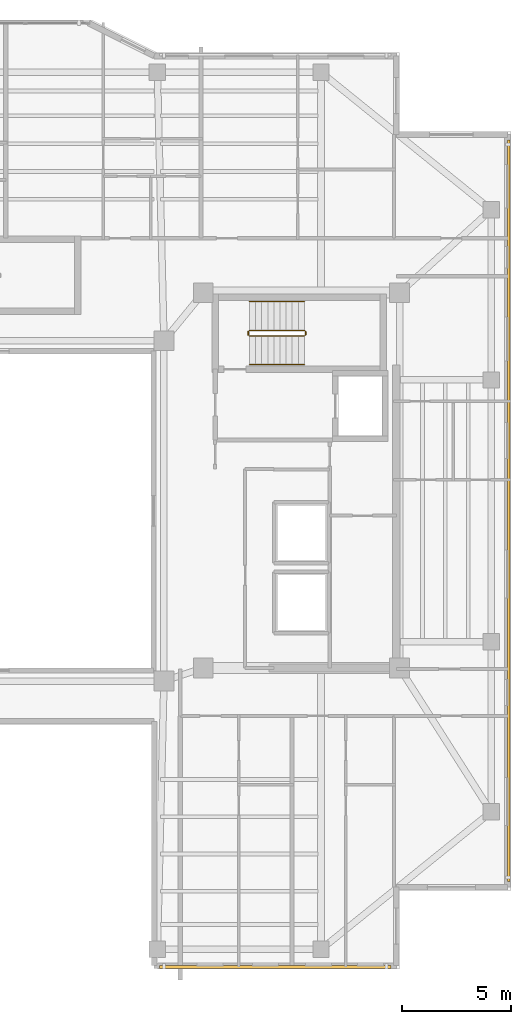
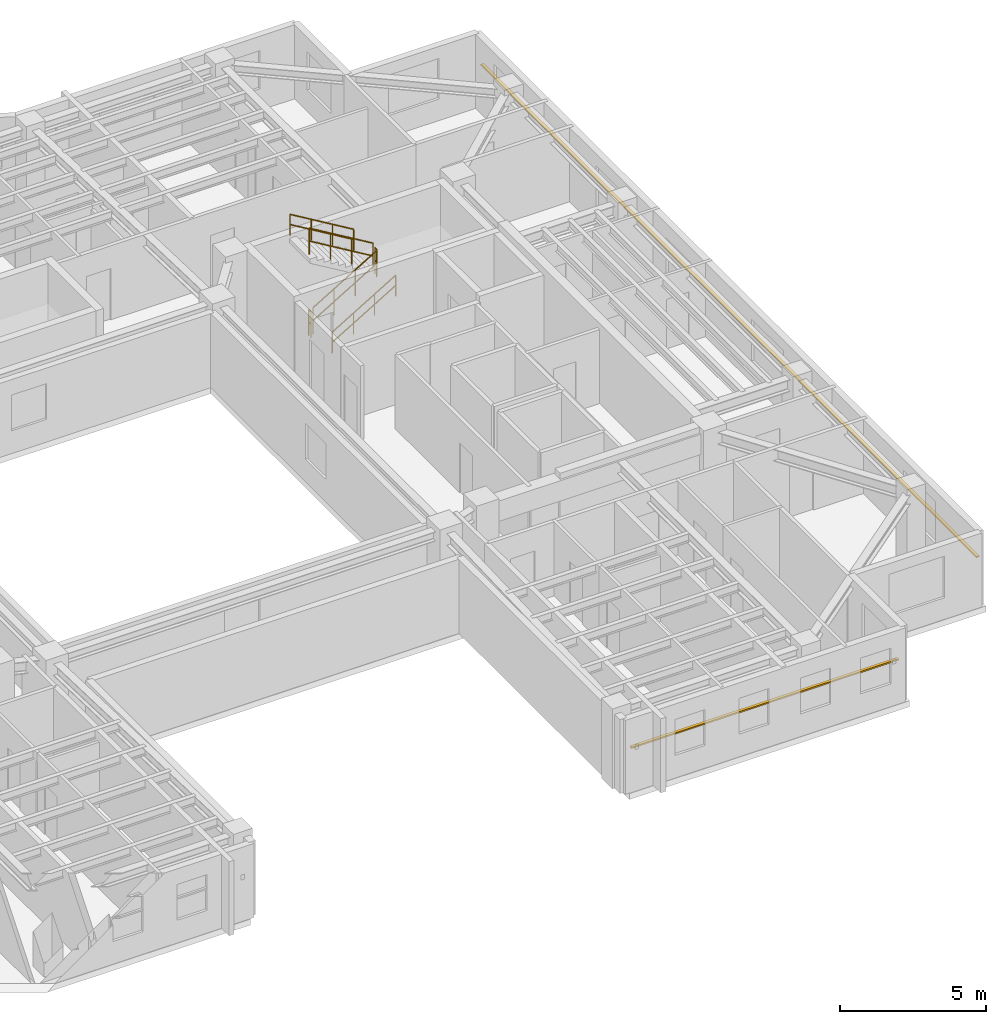
# One storey, part 11 of 12: 6 railings, 2 shading devices.
"""IFC4 building model written with IfcOpenShell, lengths in metres."""

import ifcopenshell
import ifcopenshell.guid

model = None  # the IFC model being written
_history = None  # IfcOwnerHistory: only IFC2X3 demands one
_inside = {}  # id of a spatial element -> (the spatial element, [elements in it])
_under = {}  # id of a project, library or spatial element -> (it, [spatial elements below it])
_declared = {}  # id of a project -> (the project, [libraries it declares])
_typed = {}  # id of a type object -> (the type object, [elements of that type])
_made_of = {}  # id of a material, layer set ... -> (it, [elements and type objects made of it])


def new_model(schema):
    """Start an empty IFC model of exactly this schema.

    Asked for "IFC4X3", IfcOpenShell would pick the latest addendum, in which some entities
    have other attributes; the version numbers below select the first issue.
    IFC2X3 requires an IfcOwnerHistory on every rooted entity: one is made here for all.
    """
    global model, _history
    if schema == "IFC4X3":
        model = ifcopenshell.file(schema_version=(4, 3, 0, 0))
    else:
        model = ifcopenshell.file(schema=schema)
    _inside.clear()
    _under.clear()
    _declared.clear()
    _typed.clear()
    _made_of.clear()
    _history = None
    if model.schema == "IFC2X3":
        org = make("IfcOrganization", Name="unknown")
        user = make(
            "IfcPersonAndOrganization",
            ThePerson=make("IfcPerson", FamilyName="unknown"),
            TheOrganization=org,
        )
        app = make(
            "IfcApplication",
            ApplicationDeveloper=org,
            Version="unknown",
            ApplicationFullName="unknown",
            ApplicationIdentifier="unknown",
        )
        _history = make(
            "IfcOwnerHistory",
            OwningUser=user,
            OwningApplication=app,
            ChangeAction="ADDED",
            CreationDate=0,
        )
    return model


def make(cls, **values):
    """One entity of the class cls with the attributes given. An attribute that is None is left unset."""
    return model.create_entity(
        cls, **{name: value for name, value in values.items() if value is not None}
    )


def rooted(cls, **values):
    """An entity with a GlobalId (a new one), such as an element, a storey or a relation."""
    return make(cls, GlobalId=ifcopenshell.guid.new(), OwnerHistory=_history, **values)


def si_unit(unit_type, name, prefix=None):
    """IfcSIUnit, for example si_unit("LENGTHUNIT", "METRE", prefix="MILLI")."""
    return make("IfcSIUnit", UnitType=unit_type, Prefix=prefix, Name=name)


def assignment(units):
    """IfcUnitAssignment: the units of a project."""
    return None if units is None else make("IfcUnitAssignment", Units=units)


def point(xyz):
    """IfcCartesianPoint."""
    return None if xyz is None else make("IfcCartesianPoint", Coordinates=xyz)


def direction(xyz):
    """IfcDirection."""
    return None if xyz is None else make("IfcDirection", DirectionRatios=xyz)


def frame(location, z_axis=None, x_axis=None):
    """IfcAxis2Placement3D, a coordinate frame: its origin and axes. An axis left out is left unset."""
    return make(
        "IfcAxis2Placement3D",
        Location=point(location),
        Axis=direction(z_axis),
        RefDirection=direction(x_axis),
    )


def frame_2d(location, x_axis=None):
    """IfcAxis2Placement2D, a coordinate frame in the plane: its origin and x axis."""
    return make(
        "IfcAxis2Placement2D", Location=point(location), RefDirection=direction(x_axis)
    )


def origin():
    """The frame at (0, 0, 0) with its axes left unset."""
    return frame((0.0, 0.0, 0.0))


def origin_2d():
    """The frame at (0, 0) in the plane with its x axis left unset."""
    return frame_2d((0.0, 0.0))


def place(relative_to, where):
    """IfcLocalPlacement: puts the frame where relative to a parent placement (None: the world)."""
    return make(
        "IfcLocalPlacement", PlacementRelTo=relative_to, RelativePlacement=where
    )


def context(
    kind, dimensions, precision=None, world=None, true_north=None, identifier=None
):
    """IfcGeometricRepresentationContext, for example the 3D "Model" context."""
    return make(
        "IfcGeometricRepresentationContext",
        ContextIdentifier=identifier,
        ContextType=kind,
        CoordinateSpaceDimension=dimensions,
        Precision=precision,
        WorldCoordinateSystem=world,
        TrueNorth=true_north,
    )


def subcontext(parent, identifier, kind, view, scale=None):
    """IfcGeometricRepresentationSubContext, for example "Body" below "Model"."""
    return make(
        "IfcGeometricRepresentationSubContext",
        ContextIdentifier=identifier,
        ContextType=kind,
        ParentContext=parent,
        TargetScale=scale,
        TargetView=view,
    )


def project(units=None, contexts=None):
    """IfcProject with its units and contexts."""
    return rooted(
        "IfcProject",
        Name="project",
        RepresentationContexts=contexts,
        UnitsInContext=assignment(units),
    )


def spatial(cls, under=None, at=None, **own):
    """A site, building, storey or space (cls), placed at a placement, below another one or the project."""
    s = rooted(cls, ObjectPlacement=at, **own)
    if under is not None:
        _under.setdefault(under.id(), (under, []))[1].append(s)
    return s


def profile(cls, at=None, kind="AREA", **sizes):
    """A parametric profile (cls). Its sizes go by their IFC names, for example OverallWidth=200.0."""
    return make(cls, ProfileType=kind, Position=at, **sizes)


def rectangle(**sizes):
    """IfcRectangleProfileDef."""
    return profile("IfcRectangleProfileDef", **sizes)


def circle(**sizes):
    """IfcCircleProfileDef."""
    return profile("IfcCircleProfileDef", **sizes)


def extrude(swept, where, along, depth):
    """IfcExtrudedAreaSolid: the profile swept, set in the frame where, extruded along a direction by depth."""
    return make(
        "IfcExtrudedAreaSolid",
        SweptArea=swept,
        Position=where,
        ExtrudedDirection=direction(along),
        Depth=depth,
    )


def shape(context_of_items, identifier, shape_type, items):
    """IfcShapeRepresentation: the items that make up one representation, for example the "Body"."""
    return make(
        "IfcShapeRepresentation",
        ContextOfItems=context_of_items,
        RepresentationIdentifier=identifier,
        RepresentationType=shape_type,
        Items=items,
    )


def material(Name=None, Category=None):
    """IfcMaterial."""
    return make("IfcMaterial", Name=Name, Category=Category)


def material_profile(
    of_material, cross_section, Name=None, Category=None, Priority=None
):
    """IfcMaterialProfile: a cross section and its material."""
    return make(
        "IfcMaterialProfile",
        Name=Name,
        Material=of_material,
        Profile=cross_section,
        Priority=Priority,
        Category=Category,
    )


def profile_set(profiles, Name=None, composite=None):
    """IfcMaterialProfileSet."""
    return make(
        "IfcMaterialProfileSet",
        Name=Name,
        MaterialProfiles=profiles,
        CompositeProfile=composite,
    )


def made_of(thing, what):
    """Note that an element or type object is made of a material, layer set ...; save() writes the relation."""
    if what is not None:
        _made_of.setdefault(what.id(), (what, []))[1].append(thing)
    return thing


def type_object(cls, material=None, **own):
    """A type object (cls), such as IfcWallType, which elements share."""
    return made_of(rooted(cls, **own), material)


def element(
    cls,
    number,
    at=None,
    inside=None,
    cuts=None,
    type_object=None,
    material=None,
    context=None,
    identifier="Body",
    shape_type=None,
    held_by="IfcProductDefinitionShape",
    body=None,
    shapes=None,
    **own,
):
    """One element of the class cls, such as IfcWall. Its Tag is "e" and its number.

    at: its placement. inside: the storey or other place that contains it. cuts: it is an
    opening in that element (IfcRelVoidsElement). A single representation is given by context,
    identifier, shape_type and body (its items); several are given by shapes. held_by: the class
    of the entity that holds the representations. save() writes the other relations.
    """
    e = rooted(cls, Tag="e%d" % number, ObjectPlacement=at, **own)
    if body is not None:
        shapes = [shape(context, identifier, shape_type, body)]
    if shapes is not None:
        e.Representation = make(held_by, Representations=shapes)
    if inside is not None:
        _inside.setdefault(inside.id(), (inside, []))[1].append(e)
    if cuts is not None:
        rooted(
            "IfcRelVoidsElement", RelatingBuildingElement=cuts, RelatedOpeningElement=e
        )
    if type_object is not None:
        _typed.setdefault(type_object.id(), (type_object, []))[1].append(e)
    return made_of(e, material)


def aggregate(whole, parts):
    """IfcRelAggregates: a whole, such as a stair, and the parts it consists of."""
    return rooted("IfcRelAggregates", RelatingObject=whole, RelatedObjects=parts)


def save(model, path):
    """Write the relations noted so far, then the file.

    IfcRelAggregates (storeys below a building ...), IfcRelContainedInSpatialStructure (elements
    in a storey), IfcRelDefinesByType, IfcRelAssociatesMaterial and IfcRelDeclares: one each for
    every whole, place, type object, material and project.
    """
    for whole, parts in _under.values():
        aggregate(whole, parts)
    for where, things in _inside.values():
        rooted(
            "IfcRelContainedInSpatialStructure",
            RelatedElements=things,
            RelatingStructure=where,
        )
    for kind, things in _typed.values():
        rooted("IfcRelDefinesByType", RelatedObjects=things, RelatingType=kind)
    for what, things in _made_of.values():
        rooted("IfcRelAssociatesMaterial", RelatedObjects=things, RelatingMaterial=what)
    for by, libraries in _declared.values():
        rooted("IfcRelDeclares", RelatingContext=by, RelatedDefinitions=libraries)
    model.write(path)


model = new_model("IFC4")

# Units and contexts
model_context = context("Model", 3, precision=1e-05, world=origin(), true_north=direction((0.0, 1.0)))
body_context = subcontext(model_context, "Body", "Model", "MODEL_VIEW")
ifc_project = project(units=[si_unit("LENGTHUNIT", "METRE"), si_unit("AREAUNIT", "SQUARE_METRE"), si_unit("VOLUMEUNIT", "CUBIC_METRE"), si_unit("PLANEANGLEUNIT", "RADIAN"), si_unit("MASSUNIT", "GRAM", prefix="KILO")], contexts=[model_context])

# Site, building, storey
site_placement = place(None, origin())
site = spatial("IfcSite", under=ifc_project, at=site_placement, CompositionType="ELEMENT")
building_placement = place(site_placement, origin())
building = spatial("IfcBuilding", under=site, at=building_placement, Name="Tarnavaz Court Tower", CompositionType="ELEMENT")
storey_placement = place(building_placement, frame((0.0, 0.0, 210.35009765625)))
storey = spatial("IfcBuildingStorey", under=building, at=storey_placement, Name="L57", CompositionType="ELEMENT", Elevation=210.35009765625)

# Railings
ifc_material_1 = material(Name="Brushed Stainless Steel", Category="steel")
railing_type_1 = type_object("IfcRailingType", Name="RL-HANDRAIL-900", PredefinedType="HANDRAIL", material=ifc_material_1)
railing_1_placement = place(storey_placement, frame((11.719970703125, 6.699951171875, 0.16748046875)))
element("IfcRailing", 1, at=railing_1_placement, inside=storey, type_object=railing_type_1, Name="L57 ST-E1 stair handrail 1", PredefinedType="HANDRAIL", context=body_context, shape_type="SweptSolid", body=[
    extrude(circle(Radius=0.02392578125, at=origin_2d()), frame((0.0, 0.0, 0.8759765625), z_axis=(0.858196387827, 0.0, 0.513321497621), x_axis=(0.0, 1.0, 0.0)), (0.0, 0.0, 1.0), 2.9365234375),
    extrude(circle(Radius=0.02392578125, at=origin_2d()), frame((0.0, 0.0, 0.449951171875), z_axis=(0.858196387827, 0.0, 0.513321497621), x_axis=(0.0, 1.0, 0.0)), (0.0, 0.0, 1.0), 2.9365234375),
    extrude(circle(Radius=0.02099609375, at=origin_2d()), origin(), (0.0, 0.0, 1.0), 0.851806640625),
    extrude(circle(Radius=0.02099609375, at=origin_2d()), frame((0.840087890625, 0.0, 0.50244140625)), (0.0, 0.0, 1.0), 0.851806640625),
    extrude(circle(Radius=0.02099609375, at=origin_2d()), frame((1.679931640625, 0.0, 1.0048828125)), (0.0, 0.0, 1.0), 0.851806640625),
    extrude(circle(Radius=0.02099609375, at=origin_2d()), frame((2.52001953125, 0.0, 1.50732421875)), (0.0, 0.0, 1.0), 0.851806640625),
])
railing_2_placement = place(storey_placement, frame((14.239990234375, 9.590087890625, 1.84228515625)))
element("IfcRailing", 2, at=railing_2_placement, inside=storey, type_object=railing_type_1, Name="L57 ST-E1 stair handrail 2", PredefinedType="HANDRAIL", context=body_context, shape_type="SweptSolid", body=[
    extrude(circle(Radius=0.02392578125, at=origin_2d()), frame((0.0, 0.0, 0.8759765625), z_axis=(-0.858159760407, 0.0, 0.513382728203), x_axis=(0.0, -1.0, 0.0)), (0.0, 0.0, 1.0), 2.9365234375),
    extrude(circle(Radius=0.02392578125, at=origin_2d()), frame((0.0, 0.0, 0.449951171875), z_axis=(-0.858159760407, 0.0, 0.513382728203), x_axis=(0.0, -1.0, 0.0)), (0.0, 0.0, 1.0), 2.9365234375),
    extrude(circle(Radius=0.02099609375, at=origin_2d()), origin(), (0.0, 0.0, 1.0), 0.851806640625),
    extrude(circle(Radius=0.02099609375, at=origin_2d()), frame((-0.840087890625, 0.0, 0.50244140625)), (0.0, 0.0, 1.0), 0.851806640625),
    extrude(circle(Radius=0.02099609375, at=origin_2d()), frame((-1.679931640625, 0.0, 1.005126953125)), (0.0, 0.0, 1.0), 0.851806640625),
    extrude(circle(Radius=0.02099609375, at=origin_2d()), frame((-2.52001953125, 0.0, 1.507568359375)), (0.0, 0.0, 1.0), 0.851806640625),
])
ifc_material_2 = material(Name="Galvanized Painted Tubular Steel", Category="steel")
railing_type_2 = type_object("IfcRailingType", Name="RL-STGUARD-1120", PredefinedType="GUARDRAIL", material=ifc_material_2)
railing_3_placement = place(storey_placement, frame((11.719970703125, 8.02001953125, 0.16748046875)))
element("IfcRailing", 3, at=railing_3_placement, inside=storey, type_object=railing_type_2, Name="L57 ST-E1 stair guard 1", PredefinedType="GUARDRAIL", context=body_context, shape_type="SweptSolid", body=[
    extrude(circle(Radius=0.02392578125, at=origin_2d()), frame((0.0, 0.0, 1.09619140625), z_axis=(0.858196387827, 0.0, 0.513321497621), x_axis=(0.0, 1.0, 0.0)), (0.0, 0.0, 1.0), 2.9365234375),
    extrude(circle(Radius=0.02392578125, at=origin_2d()), frame((0.0, 0.0, 0.56005859375), z_axis=(0.858196387827, 0.0, 0.513321497621), x_axis=(0.0, 1.0, 0.0)), (0.0, 0.0, 1.0), 2.9365234375),
    extrude(circle(Radius=0.02099609375, at=origin_2d()), origin(), (0.0, 0.0, 1.0), 1.072021484375),
    extrude(circle(Radius=0.02099609375, at=origin_2d()), frame((0.840087890625, 0.0, 0.50244140625)), (0.0, 0.0, 1.0), 1.072021484375),
    extrude(circle(Radius=0.02099609375, at=origin_2d()), frame((1.679931640625, 0.0, 1.0048828125)), (0.0, 0.0, 1.0), 1.072021484375),
    extrude(circle(Radius=0.02099609375, at=origin_2d()), frame((2.52001953125, 0.0, 1.50732421875)), (0.0, 0.0, 1.0), 1.072021484375),
])
railing_4_placement = place(storey_placement, frame((14.2900390625, 8.070068359375, 1.6748046875)))
element("IfcRailing", 4, at=railing_4_placement, inside=storey, type_object=railing_type_2, Name="L57 ST-E1 stair guard 2", PredefinedType="GUARDRAIL", context=body_context, shape_type="SweptSolid", body=[
    extrude(circle(Radius=0.02392578125, at=origin_2d()), frame((0.0, 0.0, 1.09619140625), z_axis=(0.0, 1.0, 0.0), x_axis=(-1.0, 0.0, 0.0)), (0.0, 0.0, 1.0), 0.14990234375),
    extrude(circle(Radius=0.02392578125, at=origin_2d()), frame((0.0, 0.0, 0.56005859375), z_axis=(0.0, 1.0, 0.0), x_axis=(-1.0, 0.0, 0.0)), (0.0, 0.0, 1.0), 0.14990234375),
    extrude(circle(Radius=0.02099609375, at=origin_2d()), origin(), (0.0, 0.0, 1.0), 1.072021484375),
    extrude(circle(Radius=0.02099609375, at=origin_2d()), frame((0.0, 0.14990234375, 0.0)), (0.0, 0.0, 1.0), 1.072021484375),
])
railing_5_placement = place(storey_placement, frame((14.239990234375, 8.27001953125, 1.84228515625)))
element("IfcRailing", 5, at=railing_5_placement, inside=storey, type_object=railing_type_2, Name="L57 ST-E1 stair guard 3", PredefinedType="GUARDRAIL", context=body_context, shape_type="SweptSolid", body=[
    extrude(circle(Radius=0.02392578125, at=origin_2d()), frame((0.0, 0.0, 1.09619140625), z_axis=(-0.858159760407, 0.0, 0.513382728203), x_axis=(0.0, -1.0, 0.0)), (0.0, 0.0, 1.0), 2.9365234375),
    extrude(circle(Radius=0.02392578125, at=origin_2d()), frame((0.0, 0.0, 0.56005859375), z_axis=(-0.858159760407, 0.0, 0.513382728203), x_axis=(0.0, -1.0, 0.0)), (0.0, 0.0, 1.0), 2.9365234375),
    extrude(circle(Radius=0.02099609375, at=origin_2d()), origin(), (0.0, 0.0, 1.0), 1.072021484375),
    extrude(circle(Radius=0.02099609375, at=origin_2d()), frame((-0.840087890625, 0.0, 0.50244140625)), (0.0, 0.0, 1.0), 1.072021484375),
    extrude(circle(Radius=0.02099609375, at=origin_2d()), frame((-1.679931640625, 0.0, 1.005126953125)), (0.0, 0.0, 1.0), 1.072021484375),
    extrude(circle(Radius=0.02099609375, at=origin_2d()), frame((-2.52001953125, 0.0, 1.507568359375)), (0.0, 0.0, 1.0), 1.072021484375),
])
railing_6_placement = place(storey_placement, frame((11.669921875, 8.070068359375, 0.0)))
element("IfcRailing", 6, at=railing_6_placement, inside=storey, type_object=railing_type_2, Name="L57 ST-E1 stair guard 4", PredefinedType="GUARDRAIL", context=body_context, shape_type="SweptSolid", body=[
    extrude(circle(Radius=0.02392578125, at=origin_2d()), frame((0.0, 0.0, 1.09619140625), z_axis=(0.0, 1.0, 0.0), x_axis=(-1.0, 0.0, 0.0)), (0.0, 0.0, 1.0), 0.14990234375),
    extrude(circle(Radius=0.02392578125, at=origin_2d()), frame((0.0, 0.0, 0.56005859375), z_axis=(0.0, 1.0, 0.0), x_axis=(-1.0, 0.0, 0.0)), (0.0, 0.0, 1.0), 0.14990234375),
    extrude(circle(Radius=0.02099609375, at=origin_2d()), origin(), (0.0, 0.0, 1.0), 1.072021484375),
    extrude(circle(Radius=0.02099609375, at=origin_2d()), frame((0.0, 0.14990234375, 0.0)), (0.0, 0.0, 1.0), 1.072021484375),
])

# Shading devices
ifc_material_3 = material(Name="Kiln-Fired Khorasan Terracotta Ceramic", Category="masonry")
ifc_material_profile = material_profile(ifc_material_3, rectangle(XDim=0.1201171875, YDim=0.06005859375, at=origin_2d()), Name="TC BAGUETTE 120X60")
ifc_profile_set = profile_set([ifc_material_profile], Name="Kiln-Fired Khorasan Terracotta Ceramic")
shading_device_type = type_object("IfcShadingDeviceType", Name="SD-BAG-120", PredefinedType="USERDEFINED", material=ifc_profile_set)
shading_device_1_placement = place(storey_placement, frame((23.610107421875, 17.0, 1.849853515625), z_axis=(0.0, -1.0, 0.0), x_axis=(1.0, 0.0, 0.0)))
element("IfcShadingDevice", 7, at=shading_device_1_placement, inside=storey, type_object=shading_device_type, Name="L57 Terracotta Baguette Screen FBG12", ObjectType="BAGUETTE", PredefinedType="USERDEFINED", context=body_context, shape_type="SweptSolid", body=[
    extrude(rectangle(XDim=0.1201171875, YDim=0.06005859375, at=origin_2d()), origin(), (0.0, 0.0, 1.0), 34.0),
])
shading_device_2_placement = place(storey_placement, frame((18.199951171875, -20.909912109375, 1.849853515625), z_axis=(-1.0, 0.0, 0.0), x_axis=(0.0, -1.0, 0.0)))
element("IfcShadingDevice", 8, at=shading_device_2_placement, inside=storey, type_object=shading_device_type, Name="L57 Terracotta Baguette Screen FBG15", ObjectType="BAGUETTE", PredefinedType="USERDEFINED", context=body_context, shape_type="SweptSolid", body=[
    extrude(rectangle(XDim=0.1201171875, YDim=0.06005859375, at=origin_2d()), origin(), (0.0, 0.0, 1.0), 10.599853515625),
])

save(model, "model.ifc")
